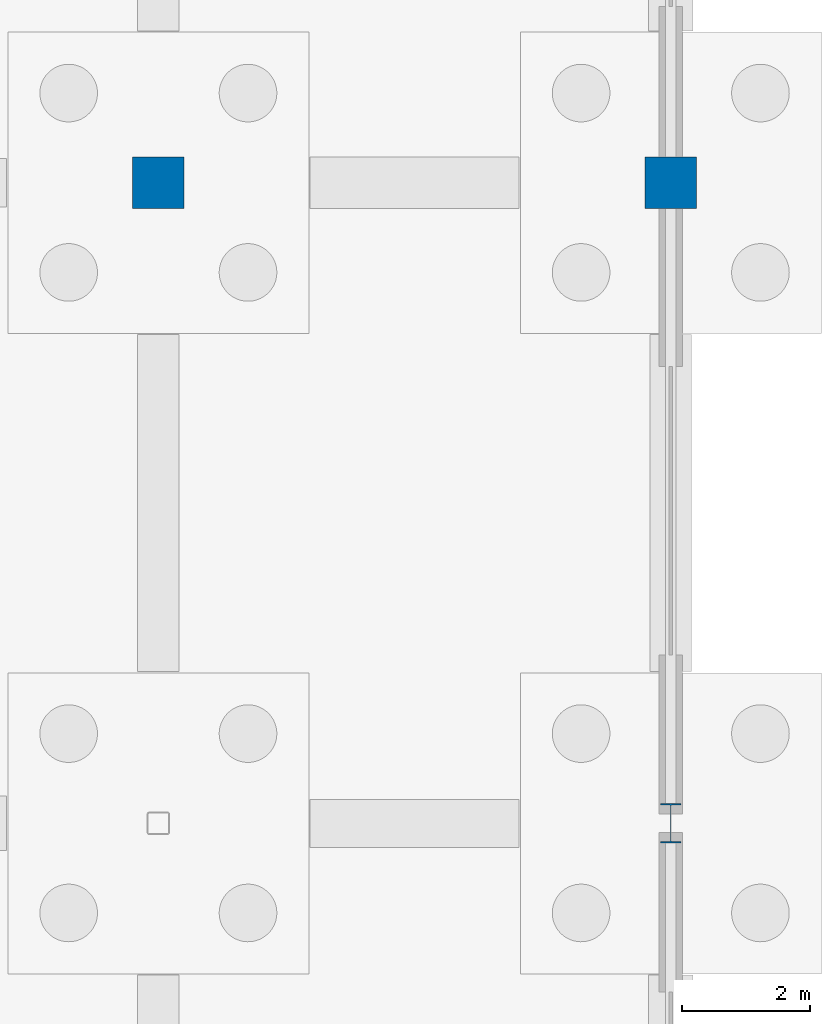
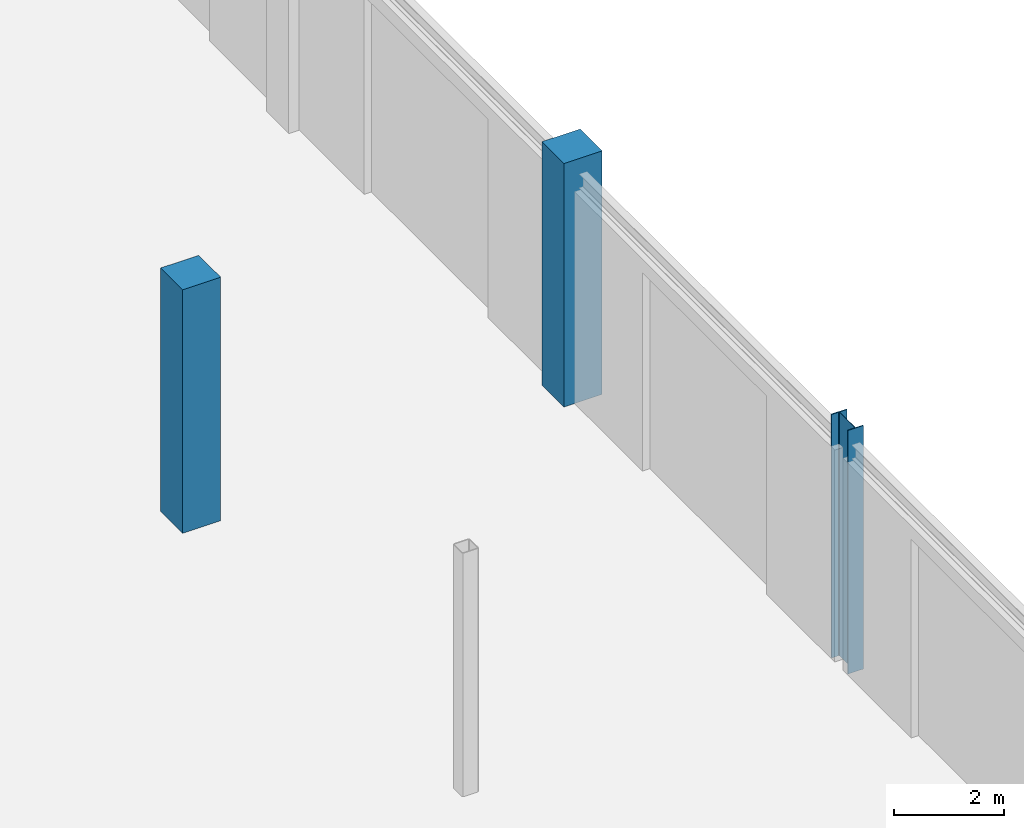
# One storey, part 25 of 70: 3 columns.
"""IFC4 building model written with IfcOpenShell, lengths in metres."""

import ifcopenshell
import ifcopenshell.guid

model = None  # the IFC model being written
_history = None  # IfcOwnerHistory: only IFC2X3 demands one
_inside = {}  # id of a spatial element -> (the spatial element, [elements in it])
_under = {}  # id of a project, library or spatial element -> (it, [spatial elements below it])
_declared = {}  # id of a project -> (the project, [libraries it declares])
_typed = {}  # id of a type object -> (the type object, [elements of that type])
_made_of = {}  # id of a material, layer set ... -> (it, [elements and type objects made of it])


def new_model(schema):
    """Start an empty IFC model of exactly this schema.

    Asked for "IFC4X3", IfcOpenShell would pick the latest addendum, in which some entities
    have other attributes; the version numbers below select the first issue.
    IFC2X3 requires an IfcOwnerHistory on every rooted entity: one is made here for all.
    """
    global model, _history
    if schema == "IFC4X3":
        model = ifcopenshell.file(schema_version=(4, 3, 0, 0))
    else:
        model = ifcopenshell.file(schema=schema)
    _inside.clear()
    _under.clear()
    _declared.clear()
    _typed.clear()
    _made_of.clear()
    _history = None
    if model.schema == "IFC2X3":
        org = make("IfcOrganization", Name="unknown")
        user = make(
            "IfcPersonAndOrganization",
            ThePerson=make("IfcPerson", FamilyName="unknown"),
            TheOrganization=org,
        )
        app = make(
            "IfcApplication",
            ApplicationDeveloper=org,
            Version="unknown",
            ApplicationFullName="unknown",
            ApplicationIdentifier="unknown",
        )
        _history = make(
            "IfcOwnerHistory",
            OwningUser=user,
            OwningApplication=app,
            ChangeAction="ADDED",
            CreationDate=0,
        )
    return model


def make(cls, **values):
    """One entity of the class cls with the attributes given. An attribute that is None is left unset."""
    return model.create_entity(
        cls, **{name: value for name, value in values.items() if value is not None}
    )


def rooted(cls, **values):
    """An entity with a GlobalId (a new one), such as an element, a storey or a relation."""
    return make(cls, GlobalId=ifcopenshell.guid.new(), OwnerHistory=_history, **values)


def si_unit(unit_type, name, prefix=None):
    """IfcSIUnit, for example si_unit("LENGTHUNIT", "METRE", prefix="MILLI")."""
    return make("IfcSIUnit", UnitType=unit_type, Prefix=prefix, Name=name)


def assignment(units):
    """IfcUnitAssignment: the units of a project."""
    return None if units is None else make("IfcUnitAssignment", Units=units)


def point(xyz):
    """IfcCartesianPoint."""
    return None if xyz is None else make("IfcCartesianPoint", Coordinates=xyz)


def direction(xyz):
    """IfcDirection."""
    return None if xyz is None else make("IfcDirection", DirectionRatios=xyz)


def frame(location, z_axis=None, x_axis=None):
    """IfcAxis2Placement3D, a coordinate frame: its origin and axes. An axis left out is left unset."""
    return make(
        "IfcAxis2Placement3D",
        Location=point(location),
        Axis=direction(z_axis),
        RefDirection=direction(x_axis),
    )


def frame_2d(location, x_axis=None):
    """IfcAxis2Placement2D, a coordinate frame in the plane: its origin and x axis."""
    return make(
        "IfcAxis2Placement2D", Location=point(location), RefDirection=direction(x_axis)
    )


def origin():
    """The frame at (0, 0, 0) with its axes left unset."""
    return frame((0.0, 0.0, 0.0))


def origin_2d():
    """The frame at (0, 0) in the plane with its x axis left unset."""
    return frame_2d((0.0, 0.0))


def place(relative_to, where):
    """IfcLocalPlacement: puts the frame where relative to a parent placement (None: the world)."""
    return make(
        "IfcLocalPlacement", PlacementRelTo=relative_to, RelativePlacement=where
    )


def context(
    kind, dimensions, precision=None, world=None, true_north=None, identifier=None
):
    """IfcGeometricRepresentationContext, for example the 3D "Model" context."""
    return make(
        "IfcGeometricRepresentationContext",
        ContextIdentifier=identifier,
        ContextType=kind,
        CoordinateSpaceDimension=dimensions,
        Precision=precision,
        WorldCoordinateSystem=world,
        TrueNorth=true_north,
    )


def subcontext(parent, identifier, kind, view, scale=None):
    """IfcGeometricRepresentationSubContext, for example "Body" below "Model"."""
    return make(
        "IfcGeometricRepresentationSubContext",
        ContextIdentifier=identifier,
        ContextType=kind,
        ParentContext=parent,
        TargetScale=scale,
        TargetView=view,
    )


def project(units=None, contexts=None):
    """IfcProject with its units and contexts."""
    return rooted(
        "IfcProject",
        Name="project",
        RepresentationContexts=contexts,
        UnitsInContext=assignment(units),
    )


def spatial(cls, under=None, at=None, **own):
    """A site, building, storey or space (cls), placed at a placement, below another one or the project."""
    s = rooted(cls, ObjectPlacement=at, **own)
    if under is not None:
        _under.setdefault(under.id(), (under, []))[1].append(s)
    return s


def profile(cls, at=None, kind="AREA", **sizes):
    """A parametric profile (cls). Its sizes go by their IFC names, for example OverallWidth=200.0."""
    return make(cls, ProfileType=kind, Position=at, **sizes)


def rectangle(**sizes):
    """IfcRectangleProfileDef."""
    return profile("IfcRectangleProfileDef", **sizes)


def i_section(**sizes):
    """IfcIShapeProfileDef."""
    return profile("IfcIShapeProfileDef", **sizes)


def extrude(swept, where, along, depth):
    """IfcExtrudedAreaSolid: the profile swept, set in the frame where, extruded along a direction by depth."""
    return make(
        "IfcExtrudedAreaSolid",
        SweptArea=swept,
        Position=where,
        ExtrudedDirection=direction(along),
        Depth=depth,
    )


def shape(context_of_items, identifier, shape_type, items):
    """IfcShapeRepresentation: the items that make up one representation, for example the "Body"."""
    return make(
        "IfcShapeRepresentation",
        ContextOfItems=context_of_items,
        RepresentationIdentifier=identifier,
        RepresentationType=shape_type,
        Items=items,
    )


def material(Name=None, Category=None):
    """IfcMaterial."""
    return make("IfcMaterial", Name=Name, Category=Category)


def material_profile(
    of_material, cross_section, Name=None, Category=None, Priority=None
):
    """IfcMaterialProfile: a cross section and its material."""
    return make(
        "IfcMaterialProfile",
        Name=Name,
        Material=of_material,
        Profile=cross_section,
        Priority=Priority,
        Category=Category,
    )


def profile_set(profiles, Name=None, composite=None):
    """IfcMaterialProfileSet."""
    return make(
        "IfcMaterialProfileSet",
        Name=Name,
        MaterialProfiles=profiles,
        CompositeProfile=composite,
    )


def made_of(thing, what):
    """Note that an element or type object is made of a material, layer set ...; save() writes the relation."""
    if what is not None:
        _made_of.setdefault(what.id(), (what, []))[1].append(thing)
    return thing


def type_object(cls, material=None, **own):
    """A type object (cls), such as IfcWallType, which elements share."""
    return made_of(rooted(cls, **own), material)


def element(
    cls,
    number,
    at=None,
    inside=None,
    cuts=None,
    type_object=None,
    material=None,
    context=None,
    identifier="Body",
    shape_type=None,
    held_by="IfcProductDefinitionShape",
    body=None,
    shapes=None,
    **own,
):
    """One element of the class cls, such as IfcWall. Its Tag is "e" and its number.

    at: its placement. inside: the storey or other place that contains it. cuts: it is an
    opening in that element (IfcRelVoidsElement). A single representation is given by context,
    identifier, shape_type and body (its items); several are given by shapes. held_by: the class
    of the entity that holds the representations. save() writes the other relations.
    """
    e = rooted(cls, Tag="e%d" % number, ObjectPlacement=at, **own)
    if body is not None:
        shapes = [shape(context, identifier, shape_type, body)]
    if shapes is not None:
        e.Representation = make(held_by, Representations=shapes)
    if inside is not None:
        _inside.setdefault(inside.id(), (inside, []))[1].append(e)
    if cuts is not None:
        rooted(
            "IfcRelVoidsElement", RelatingBuildingElement=cuts, RelatedOpeningElement=e
        )
    if type_object is not None:
        _typed.setdefault(type_object.id(), (type_object, []))[1].append(e)
    return made_of(e, material)


def aggregate(whole, parts):
    """IfcRelAggregates: a whole, such as a stair, and the parts it consists of."""
    return rooted("IfcRelAggregates", RelatingObject=whole, RelatedObjects=parts)


def save(model, path):
    """Write the relations noted so far, then the file.

    IfcRelAggregates (storeys below a building ...), IfcRelContainedInSpatialStructure (elements
    in a storey), IfcRelDefinesByType, IfcRelAssociatesMaterial and IfcRelDeclares: one each for
    every whole, place, type object, material and project.
    """
    for whole, parts in _under.values():
        aggregate(whole, parts)
    for where, things in _inside.values():
        rooted(
            "IfcRelContainedInSpatialStructure",
            RelatedElements=things,
            RelatingStructure=where,
        )
    for kind, things in _typed.values():
        rooted("IfcRelDefinesByType", RelatedObjects=things, RelatingType=kind)
    for what, things in _made_of.values():
        rooted("IfcRelAssociatesMaterial", RelatedObjects=things, RelatingMaterial=what)
    for by, libraries in _declared.values():
        rooted("IfcRelDeclares", RelatingContext=by, RelatedDefinitions=libraries)
    model.write(path)


model = new_model("IFC4")

# Units and contexts
model_context = context("Model", 3, precision=1e-05, world=origin(), true_north=direction((0.0, 1.0)))
body_context = subcontext(model_context, "Body", "Model", "MODEL_VIEW")
ifc_project = project(units=[si_unit("LENGTHUNIT", "METRE"), si_unit("AREAUNIT", "SQUARE_METRE"), si_unit("VOLUMEUNIT", "CUBIC_METRE"), si_unit("PLANEANGLEUNIT", "RADIAN"), si_unit("MASSUNIT", "GRAM", prefix="KILO")], contexts=[model_context])

# Site, building, storey
site_placement = place(None, origin())
site = spatial("IfcSite", under=ifc_project, at=site_placement, CompositionType="ELEMENT")
building_placement = place(site_placement, origin())
building = spatial("IfcBuilding", under=site, at=building_placement, Name="Brinegate Civic Arena", CompositionType="ELEMENT")
storey_placement = place(building_placement, origin())
storey = spatial("IfcBuildingStorey", under=building, at=storey_placement, Name="L00", CompositionType="ELEMENT", Elevation=0.0)

# Columns
ifc_material_1 = material(Name="Concrete C50/60", Category="concrete")
ifc_material_profile_1 = material_profile(ifc_material_1, rectangle(XDim=0.800048828125, YDim=0.800048828125, at=origin_2d()), Name="RC800X800")
ifc_profile_set_1 = profile_set([ifc_material_profile_1], Name="Concrete C50/60")
column_type_1 = type_object("IfcColumnType", Name="COL-CC07-800", PredefinedType="COLUMN", material=ifc_profile_set_1)
for number, where, z_axis, x_axis, name in (
    (1, (200.0, 62.0, 0.0), (0.0, 0.0, 1.0), (1.0, 0.0, 0.0), "Column COL-L00-18-G"),
    (2, (208.0, 62.0, 0.0), (0.0, 0.0, 1.0), (1.0, 0.0, 0.0), "Column COL-L00-19-G"),
):
    element("IfcColumn", number, at=place(storey_placement, frame(where, z_axis=z_axis, x_axis=x_axis)), inside=storey, type_object=column_type_1, Name=name, PredefinedType="COLUMN", context=body_context, shape_type="SweptSolid", body=[
        extrude(rectangle(XDim=0.800048828125, YDim=0.800048828125, at=origin_2d()), origin(), (0.0, 0.0, 1.0), 5.39990234375),
    ])
ifc_material_2 = material(Name="Steel S355", Category="steel")
ifc_material_profile_2 = material_profile(ifc_material_2, i_section(OverallWidth=0.323974609375, OverallDepth=0.611083984375, WebThickness=0.012939453125, FlangeThickness=0.01904296875, FilletRadius=0.01611328125, at=origin_2d()), Name="W610X155")
ifc_profile_set_2 = profile_set([ifc_material_profile_2], Name="Steel S355")
column_type_2 = type_object("IfcColumnType", Name="COL-SC01-W610", PredefinedType="COLUMN", material=ifc_profile_set_2)
column_placement = place(storey_placement, frame((208.0, 52.0, 0.0), z_axis=(0.0, 0.0, 1.0), x_axis=(1.0, 0.0, 0.0)))
element("IfcColumn", 3, at=column_placement, inside=storey, type_object=column_type_2, Name="Column COL-L00-19-F", PredefinedType="COLUMN", context=body_context, shape_type="SweptSolid", body=[
    extrude(i_section(OverallWidth=0.323974609375, OverallDepth=0.611083984375, WebThickness=0.012939453125, FlangeThickness=0.01904296875, FilletRadius=0.01611328125, at=origin_2d()), origin(), (0.0, 0.0, 1.0), 5.39990234375),
])

save(model, "model.ifc")
